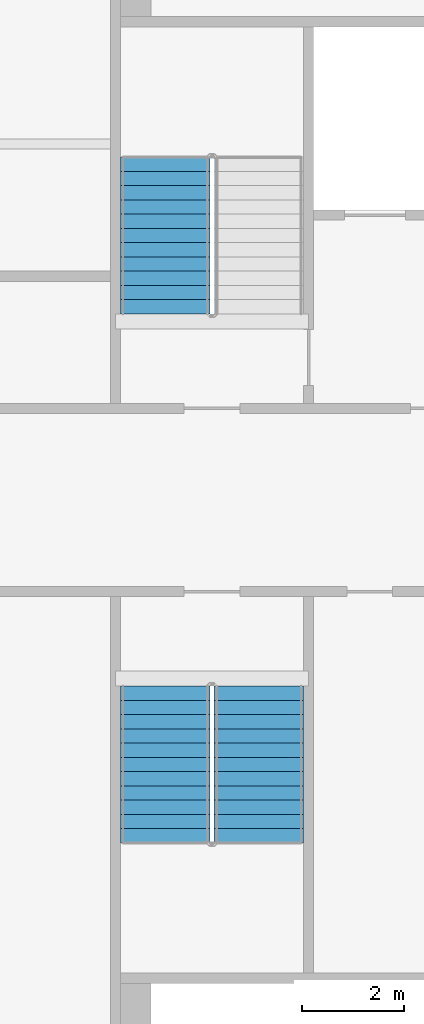
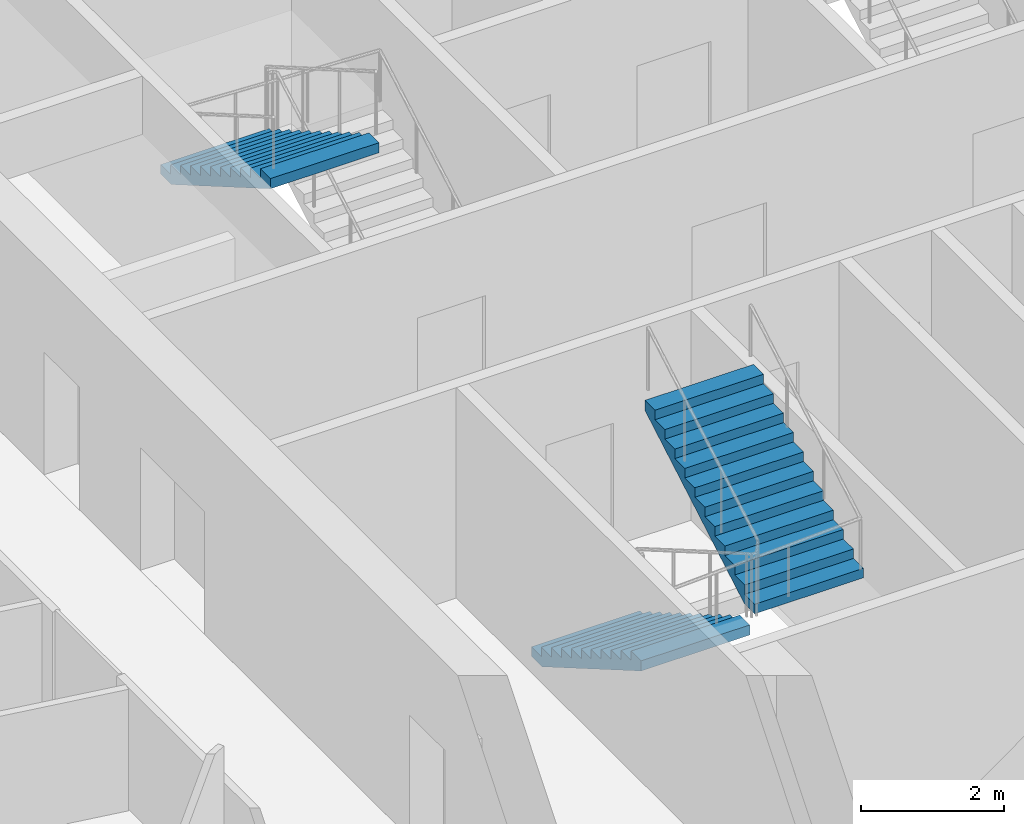
# One storey, part 7 of 11: 3 stair flights, 2 elements without a shape of their own.
"""IFC4 building model written with IfcOpenShell, lengths in metres."""

from ifc_helpers import new_model, si_unit, direction, frame, origin, place, context, subcontext, project, spatial, faceted_brep, material, type_object, element, aggregate, save


model = new_model("IFC4")

# Units and contexts
model_context = context("Model", 3, precision=1e-05, world=origin(), true_north=direction((0.0, 1.0)))
body_context = subcontext(model_context, "Body", "Model", "MODEL_VIEW")
ifc_project = project(units=[si_unit("LENGTHUNIT", "METRE"), si_unit("AREAUNIT", "SQUARE_METRE"), si_unit("VOLUMEUNIT", "CUBIC_METRE"), si_unit("PLANEANGLEUNIT", "RADIAN"), si_unit("MASSUNIT", "GRAM", prefix="KILO")], contexts=[model_context])

# Site, building, storey
site_placement = place(None, origin())
site = spatial("IfcSite", under=ifc_project, at=site_placement, CompositionType="ELEMENT")
building_placement = place(site_placement, origin())
building = spatial("IfcBuilding", under=site, at=building_placement, Name="Tarsis Ring Headquarters", CompositionType="ELEMENT")
storey_placement = place(building_placement, frame((0.0, 0.0, 243.300048828125)))
storey = spatial("IfcBuildingStorey", under=building, at=storey_placement, Name="L57", CompositionType="ELEMENT", Elevation=243.300048828125)

# Stair, stair flight
ifc_material_1 = material(Name="Core stair 1760")
stair_type = type_object("IfcStairType", Name="Core stair 1760", PredefinedType="HALF_TURN_STAIR", material=ifc_material_1)
stair_1_placement = place(storey_placement, origin())
stair_1 = element("IfcStair", 1, at=stair_1_placement, inside=storey, type_object=stair_type, Name="L57 Firefighting stair", PredefinedType="HALF_TURN_STAIR")
ifc_material_2 = material(Name="Concrete C40/50", Category="concrete")
stair_flight_type = type_object("IfcStairFlightType", Name="Core stair flight 1760", PredefinedType="STRAIGHT", material=ifc_material_2)
stair_flight_1_placement = place(storey_placement, frame((-5.419921875, 6.739990234375, 1.949951171875), z_axis=(0.0, 0.0, 1.0), x_axis=(0.0, -1.0, 0.0)))
stair_flight_1 = element("IfcStairFlight", 2, at=stair_flight_1_placement, type_object=stair_flight_type, Name="Stair ST1 flight 2", NumberOfRisers=12, NumberOfTreads=11, PredefinedType="STRAIGHT", RiserHeight=0.1625, TreadLength=0.28, context=body_context, shape_type="Brep", body=[
    faceted_brep([(0.0, 0.8798828125, 0.0), (0.0, 0.8798828125, 0.16259765625), (0.280029296875, 0.8798828125, 0.16259765625), (0.280029296875, 0.8798828125, 0.324951171875), (0.56005859375, 0.8798828125, 0.324951171875), (0.56005859375, 0.8798828125, 0.487548828125), (0.840087890625, 0.8798828125, 0.487548828125), (0.840087890625, 0.8798828125, 0.64990234375), (1.1201171875, 0.8798828125, 0.64990234375), (1.1201171875, 0.8798828125, 0.8125), (1.39990234375, 0.8798828125, 0.8125), (1.39990234375, 0.8798828125, 0.97509765625), (1.679931640625, 0.8798828125, 0.97509765625), (1.679931640625, 0.8798828125, 1.137451171875), (1.9599609375, 0.8798828125, 1.137451171875), (1.9599609375, 0.8798828125, 1.300048828125), (2.239990234375, 0.8798828125, 1.300048828125), (2.239990234375, 0.8798828125, 1.46240234375), (2.52001953125, 0.8798828125, 1.46240234375), (2.52001953125, 0.8798828125, 1.625), (2.800048828125, 0.8798828125, 1.625), (2.800048828125, 0.8798828125, 1.78759765625), (3.080078125, 0.8798828125, 1.78759765625), (3.080078125, 0.8798828125, 1.6142578125), (0.298583984375, 0.8798828125, 0.0), (0.298583984375, -0.8798828125, 0.0), (3.080078125, -0.8798828125, 1.6142578125), (3.080078125, -0.8798828125, 1.78759765625), (2.800048828125, -0.8798828125, 1.78759765625), (2.800048828125, -0.8798828125, 1.625), (2.52001953125, -0.8798828125, 1.625), (2.52001953125, -0.8798828125, 1.46240234375), (2.239990234375, -0.8798828125, 1.46240234375), (2.239990234375, -0.8798828125, 1.300048828125), (1.9599609375, -0.8798828125, 1.300048828125), (1.9599609375, -0.8798828125, 1.137451171875), (1.679931640625, -0.8798828125, 1.137451171875), (1.679931640625, -0.8798828125, 0.97509765625), (1.39990234375, -0.8798828125, 0.97509765625), (1.39990234375, -0.8798828125, 0.8125), (1.1201171875, -0.8798828125, 0.8125), (1.1201171875, -0.8798828125, 0.64990234375), (0.840087890625, -0.8798828125, 0.64990234375), (0.840087890625, -0.8798828125, 0.487548828125), (0.56005859375, -0.8798828125, 0.487548828125), (0.56005859375, -0.8798828125, 0.324951171875), (0.280029296875, -0.8798828125, 0.324951171875), (0.280029296875, -0.8798828125, 0.16259765625), (0.0, -0.8798828125, 0.16259765625), (0.0, -0.8798828125, 0.0), (0.0, -0.43994140625, 0.16259765625), (0.0, -0.43994140625, 0.0), (0.0, 0.0, 0.16259765625), (0.0, 0.0, 0.0), (0.0, 0.43994140625, 0.16259765625), (0.0, 0.43994140625, 0.0), (0.280029296875, -0.43994140625, 0.16259765625), (0.280029296875, 0.0, 0.16259765625), (0.280029296875, 0.43994140625, 0.16259765625), (0.280029296875, -0.43994140625, 0.324951171875), (0.280029296875, 0.0, 0.324951171875), (0.280029296875, 0.43994140625, 0.324951171875), (0.56005859375, -0.43994140625, 0.324951171875), (0.56005859375, 0.0, 0.324951171875), (0.56005859375, 0.43994140625, 0.324951171875), (0.56005859375, -0.43994140625, 0.487548828125), (0.56005859375, 0.0, 0.487548828125), (0.56005859375, 0.43994140625, 0.487548828125), (0.840087890625, -0.43994140625, 0.487548828125), (0.840087890625, 0.0, 0.487548828125), (0.840087890625, 0.43994140625, 0.487548828125), (0.840087890625, -0.43994140625, 0.64990234375), (0.840087890625, 0.0, 0.64990234375), (0.840087890625, 0.43994140625, 0.64990234375), (1.1201171875, -0.43994140625, 0.64990234375), (1.1201171875, 0.0, 0.64990234375), (1.1201171875, 0.43994140625, 0.64990234375), (1.1201171875, -0.43994140625, 0.8125), (1.1201171875, 0.0, 0.8125), (1.1201171875, 0.43994140625, 0.8125), (1.39990234375, -0.43994140625, 0.8125), (1.39990234375, 0.0, 0.8125), (1.39990234375, 0.43994140625, 0.8125), (1.39990234375, -0.43994140625, 0.97509765625), (1.39990234375, 0.0, 0.97509765625), (1.39990234375, 0.43994140625, 0.97509765625), (1.679931640625, -0.43994140625, 0.97509765625), (1.679931640625, 0.0, 0.97509765625), (1.679931640625, 0.43994140625, 0.97509765625), (1.679931640625, -0.43994140625, 1.137451171875), (1.679931640625, 0.0, 1.137451171875), (1.679931640625, 0.43994140625, 1.137451171875), (1.9599609375, -0.43994140625, 1.137451171875), (1.9599609375, 0.0, 1.137451171875), (1.9599609375, 0.43994140625, 1.137451171875), (1.9599609375, -0.43994140625, 1.300048828125), (1.9599609375, 0.0, 1.300048828125), (1.9599609375, 0.43994140625, 1.300048828125), (2.239990234375, -0.43994140625, 1.300048828125), (2.239990234375, 0.0, 1.300048828125), (2.239990234375, 0.43994140625, 1.300048828125), (2.239990234375, -0.43994140625, 1.46240234375), (2.239990234375, 0.0, 1.46240234375), (2.239990234375, 0.43994140625, 1.46240234375), (2.52001953125, -0.43994140625, 1.46240234375), (2.52001953125, 0.0, 1.46240234375), (2.52001953125, 0.43994140625, 1.46240234375), (2.52001953125, -0.43994140625, 1.625), (2.52001953125, 0.0, 1.625), (2.52001953125, 0.43994140625, 1.625), (2.800048828125, -0.43994140625, 1.625), (2.800048828125, 0.0, 1.625), (2.800048828125, 0.43994140625, 1.625), (2.800048828125, -0.43994140625, 1.78759765625), (2.800048828125, 0.0, 1.78759765625), (2.800048828125, 0.43994140625, 1.78759765625), (3.080078125, -0.43994140625, 1.78759765625), (3.080078125, 0.0, 1.78759765625), (3.080078125, 0.43994140625, 1.78759765625), (3.080078125, -0.43994140625, 1.6142578125), (3.080078125, 0.0, 1.6142578125), (3.080078125, 0.43994140625, 1.6142578125), (0.298583984375, -0.43994140625, 0.0), (0.298583984375, 0.0, 0.0), (0.298583984375, 0.43994140625, 0.0)], [[[0, 1, 2, 3, 4, 5, 6, 7, 8, 9, 10, 11, 12, 13, 14, 15, 16, 17, 18, 19, 20, 21, 22, 23, 24]], [[25, 26, 27, 28, 29, 30, 31, 32, 33, 34, 35, 36, 37, 38, 39, 40, 41, 42, 43, 44, 45, 46, 47, 48, 49]], [[49, 48, 50, 51]], [[51, 50, 52, 53]], [[53, 52, 54, 55]], [[55, 54, 1, 0]], [[48, 47, 56, 50]], [[50, 56, 57, 52]], [[52, 57, 58, 54]], [[54, 58, 2, 1]], [[47, 46, 59, 56]], [[56, 59, 60, 57]], [[57, 60, 61, 58]], [[58, 61, 3, 2]], [[46, 45, 62, 59]], [[59, 62, 63, 60]], [[60, 63, 64, 61]], [[61, 64, 4, 3]], [[45, 44, 65, 62]], [[62, 65, 66, 63]], [[63, 66, 67, 64]], [[64, 67, 5, 4]], [[44, 43, 68, 65]], [[65, 68, 69, 66]], [[66, 69, 70, 67]], [[67, 70, 6, 5]], [[43, 42, 71, 68]], [[68, 71, 72, 69]], [[69, 72, 73, 70]], [[70, 73, 7, 6]], [[42, 41, 74, 71]], [[71, 74, 75, 72]], [[72, 75, 76, 73]], [[73, 76, 8, 7]], [[41, 40, 77, 74]], [[74, 77, 78, 75]], [[75, 78, 79, 76]], [[76, 79, 9, 8]], [[40, 39, 80, 77]], [[77, 80, 81, 78]], [[78, 81, 82, 79]], [[79, 82, 10, 9]], [[39, 38, 83, 80]], [[80, 83, 84, 81]], [[81, 84, 85, 82]], [[82, 85, 11, 10]], [[38, 37, 86, 83]], [[83, 86, 87, 84]], [[84, 87, 88, 85]], [[85, 88, 12, 11]], [[37, 36, 89, 86]], [[86, 89, 90, 87]], [[87, 90, 91, 88]], [[88, 91, 13, 12]], [[36, 35, 92, 89]], [[89, 92, 93, 90]], [[90, 93, 94, 91]], [[91, 94, 14, 13]], [[35, 34, 95, 92]], [[92, 95, 96, 93]], [[93, 96, 97, 94]], [[94, 97, 15, 14]], [[34, 33, 98, 95]], [[95, 98, 99, 96]], [[96, 99, 100, 97]], [[97, 100, 16, 15]], [[33, 32, 101, 98]], [[98, 101, 102, 99]], [[99, 102, 103, 100]], [[100, 103, 17, 16]], [[32, 31, 104, 101]], [[101, 104, 105, 102]], [[102, 105, 106, 103]], [[103, 106, 18, 17]], [[31, 30, 107, 104]], [[104, 107, 108, 105]], [[105, 108, 109, 106]], [[106, 109, 19, 18]], [[30, 29, 110, 107]], [[107, 110, 111, 108]], [[108, 111, 112, 109]], [[109, 112, 20, 19]], [[29, 28, 113, 110]], [[110, 113, 114, 111]], [[111, 114, 115, 112]], [[112, 115, 21, 20]], [[28, 27, 116, 113]], [[113, 116, 117, 114]], [[114, 117, 118, 115]], [[115, 118, 22, 21]], [[27, 26, 119, 116]], [[116, 119, 120, 117]], [[117, 120, 121, 118]], [[118, 121, 23, 22]], [[26, 25, 122, 119]], [[119, 122, 123, 120]], [[120, 123, 124, 121]], [[121, 124, 24, 23]], [[25, 49, 51, 122]], [[122, 51, 53, 123]], [[123, 53, 55, 124]], [[124, 55, 0, 24]]]),
])
aggregate(stair_1, [stair_flight_1])

# Stair, stair flights
stair_2_placement = place(storey_placement, origin())
stair_2 = element("IfcStair", 3, at=stair_2_placement, inside=storey, type_object=stair_type, Name="L57 Exit stair C", PredefinedType="HALF_TURN_STAIR")
stair_flight_2_placement = place(storey_placement, frame((-5.419921875, -3.659912109375, 0.0), z_axis=(0.0, 0.0, 1.0), x_axis=(0.0, -1.0, 0.0)))
stair_flight_2 = element("IfcStairFlight", 4, at=stair_flight_2_placement, type_object=stair_flight_type, Name="Stair ST3 flight 1", NumberOfRisers=12, NumberOfTreads=11, PredefinedType="STRAIGHT", RiserHeight=0.1625, TreadLength=0.28, context=body_context, shape_type="Brep", body=[
    faceted_brep([(0.0, 0.8798828125, 0.0), (0.0, 0.8798828125, 0.16259765625), (0.280029296875, 0.8798828125, 0.16259765625), (0.280029296875, 0.8798828125, 0.324951171875), (0.56005859375, 0.8798828125, 0.324951171875), (0.56005859375, 0.8798828125, 0.487548828125), (0.840087890625, 0.8798828125, 0.487548828125), (0.840087890625, 0.8798828125, 0.64990234375), (1.1201171875, 0.8798828125, 0.64990234375), (1.1201171875, 0.8798828125, 0.8125), (1.39990234375, 0.8798828125, 0.8125), (1.39990234375, 0.8798828125, 0.97509765625), (1.679931640625, 0.8798828125, 0.97509765625), (1.679931640625, 0.8798828125, 1.137451171875), (1.9599609375, 0.8798828125, 1.137451171875), (1.9599609375, 0.8798828125, 1.300048828125), (2.239990234375, 0.8798828125, 1.300048828125), (2.239990234375, 0.8798828125, 1.46240234375), (2.52001953125, 0.8798828125, 1.46240234375), (2.52001953125, 0.8798828125, 1.625), (2.800048828125, 0.8798828125, 1.625), (2.800048828125, 0.8798828125, 1.78759765625), (3.080078125, 0.8798828125, 1.78759765625), (3.080078125, 0.8798828125, 1.6142578125), (0.298583984375, 0.8798828125, 0.0), (0.298583984375, -0.8798828125, 0.0), (3.080078125, -0.8798828125, 1.6142578125), (3.080078125, -0.8798828125, 1.78759765625), (2.800048828125, -0.8798828125, 1.78759765625), (2.800048828125, -0.8798828125, 1.625), (2.52001953125, -0.8798828125, 1.625), (2.52001953125, -0.8798828125, 1.46240234375), (2.239990234375, -0.8798828125, 1.46240234375), (2.239990234375, -0.8798828125, 1.300048828125), (1.9599609375, -0.8798828125, 1.300048828125), (1.9599609375, -0.8798828125, 1.137451171875), (1.679931640625, -0.8798828125, 1.137451171875), (1.679931640625, -0.8798828125, 0.97509765625), (1.39990234375, -0.8798828125, 0.97509765625), (1.39990234375, -0.8798828125, 0.8125), (1.1201171875, -0.8798828125, 0.8125), (1.1201171875, -0.8798828125, 0.64990234375), (0.840087890625, -0.8798828125, 0.64990234375), (0.840087890625, -0.8798828125, 0.487548828125), (0.56005859375, -0.8798828125, 0.487548828125), (0.56005859375, -0.8798828125, 0.324951171875), (0.280029296875, -0.8798828125, 0.324951171875), (0.280029296875, -0.8798828125, 0.16259765625), (0.0, -0.8798828125, 0.16259765625), (0.0, -0.8798828125, 0.0), (0.0, -0.43994140625, 0.16259765625), (0.0, -0.43994140625, 0.0), (0.0, 0.0, 0.16259765625), (0.0, 0.0, 0.0), (0.0, 0.43994140625, 0.16259765625), (0.0, 0.43994140625, 0.0), (0.280029296875, -0.43994140625, 0.16259765625), (0.280029296875, 0.0, 0.16259765625), (0.280029296875, 0.43994140625, 0.16259765625), (0.280029296875, -0.43994140625, 0.324951171875), (0.280029296875, 0.0, 0.324951171875), (0.280029296875, 0.43994140625, 0.324951171875), (0.56005859375, -0.43994140625, 0.324951171875), (0.56005859375, 0.0, 0.324951171875), (0.56005859375, 0.43994140625, 0.324951171875), (0.56005859375, -0.43994140625, 0.487548828125), (0.56005859375, 0.0, 0.487548828125), (0.56005859375, 0.43994140625, 0.487548828125), (0.840087890625, -0.43994140625, 0.487548828125), (0.840087890625, 0.0, 0.487548828125), (0.840087890625, 0.43994140625, 0.487548828125), (0.840087890625, -0.43994140625, 0.64990234375), (0.840087890625, 0.0, 0.64990234375), (0.840087890625, 0.43994140625, 0.64990234375), (1.1201171875, -0.43994140625, 0.64990234375), (1.1201171875, 0.0, 0.64990234375), (1.1201171875, 0.43994140625, 0.64990234375), (1.1201171875, -0.43994140625, 0.8125), (1.1201171875, 0.0, 0.8125), (1.1201171875, 0.43994140625, 0.8125), (1.39990234375, -0.43994140625, 0.8125), (1.39990234375, 0.0, 0.8125), (1.39990234375, 0.43994140625, 0.8125), (1.39990234375, -0.43994140625, 0.97509765625), (1.39990234375, 0.0, 0.97509765625), (1.39990234375, 0.43994140625, 0.97509765625), (1.679931640625, -0.43994140625, 0.97509765625), (1.679931640625, 0.0, 0.97509765625), (1.679931640625, 0.43994140625, 0.97509765625), (1.679931640625, -0.43994140625, 1.137451171875), (1.679931640625, 0.0, 1.137451171875), (1.679931640625, 0.43994140625, 1.137451171875), (1.9599609375, -0.43994140625, 1.137451171875), (1.9599609375, 0.0, 1.137451171875), (1.9599609375, 0.43994140625, 1.137451171875), (1.9599609375, -0.43994140625, 1.300048828125), (1.9599609375, 0.0, 1.300048828125), (1.9599609375, 0.43994140625, 1.300048828125), (2.239990234375, -0.43994140625, 1.300048828125), (2.239990234375, 0.0, 1.300048828125), (2.239990234375, 0.43994140625, 1.300048828125), (2.239990234375, -0.43994140625, 1.46240234375), (2.239990234375, 0.0, 1.46240234375), (2.239990234375, 0.43994140625, 1.46240234375), (2.52001953125, -0.43994140625, 1.46240234375), (2.52001953125, 0.0, 1.46240234375), (2.52001953125, 0.43994140625, 1.46240234375), (2.52001953125, -0.43994140625, 1.625), (2.52001953125, 0.0, 1.625), (2.52001953125, 0.43994140625, 1.625), (2.800048828125, -0.43994140625, 1.625), (2.800048828125, 0.0, 1.625), (2.800048828125, 0.43994140625, 1.625), (2.800048828125, -0.43994140625, 1.78759765625), (2.800048828125, 0.0, 1.78759765625), (2.800048828125, 0.43994140625, 1.78759765625), (3.080078125, -0.43994140625, 1.78759765625), (3.080078125, 0.0, 1.78759765625), (3.080078125, 0.43994140625, 1.78759765625), (3.080078125, -0.43994140625, 1.6142578125), (3.080078125, 0.0, 1.6142578125), (3.080078125, 0.43994140625, 1.6142578125), (0.298583984375, -0.43994140625, 0.0), (0.298583984375, 0.0, 0.0), (0.298583984375, 0.43994140625, 0.0)], [[[0, 1, 2, 3, 4, 5, 6, 7, 8, 9, 10, 11, 12, 13, 14, 15, 16, 17, 18, 19, 20, 21, 22, 23, 24]], [[25, 26, 27, 28, 29, 30, 31, 32, 33, 34, 35, 36, 37, 38, 39, 40, 41, 42, 43, 44, 45, 46, 47, 48, 49]], [[49, 48, 50, 51]], [[51, 50, 52, 53]], [[53, 52, 54, 55]], [[55, 54, 1, 0]], [[48, 47, 56, 50]], [[50, 56, 57, 52]], [[52, 57, 58, 54]], [[54, 58, 2, 1]], [[47, 46, 59, 56]], [[56, 59, 60, 57]], [[57, 60, 61, 58]], [[58, 61, 3, 2]], [[46, 45, 62, 59]], [[59, 62, 63, 60]], [[60, 63, 64, 61]], [[61, 64, 4, 3]], [[45, 44, 65, 62]], [[62, 65, 66, 63]], [[63, 66, 67, 64]], [[64, 67, 5, 4]], [[44, 43, 68, 65]], [[65, 68, 69, 66]], [[66, 69, 70, 67]], [[67, 70, 6, 5]], [[43, 42, 71, 68]], [[68, 71, 72, 69]], [[69, 72, 73, 70]], [[70, 73, 7, 6]], [[42, 41, 74, 71]], [[71, 74, 75, 72]], [[72, 75, 76, 73]], [[73, 76, 8, 7]], [[41, 40, 77, 74]], [[74, 77, 78, 75]], [[75, 78, 79, 76]], [[76, 79, 9, 8]], [[40, 39, 80, 77]], [[77, 80, 81, 78]], [[78, 81, 82, 79]], [[79, 82, 10, 9]], [[39, 38, 83, 80]], [[80, 83, 84, 81]], [[81, 84, 85, 82]], [[82, 85, 11, 10]], [[38, 37, 86, 83]], [[83, 86, 87, 84]], [[84, 87, 88, 85]], [[85, 88, 12, 11]], [[37, 36, 89, 86]], [[86, 89, 90, 87]], [[87, 90, 91, 88]], [[88, 91, 13, 12]], [[36, 35, 92, 89]], [[89, 92, 93, 90]], [[90, 93, 94, 91]], [[91, 94, 14, 13]], [[35, 34, 95, 92]], [[92, 95, 96, 93]], [[93, 96, 97, 94]], [[94, 97, 15, 14]], [[34, 33, 98, 95]], [[95, 98, 99, 96]], [[96, 99, 100, 97]], [[97, 100, 16, 15]], [[33, 32, 101, 98]], [[98, 101, 102, 99]], [[99, 102, 103, 100]], [[100, 103, 17, 16]], [[32, 31, 104, 101]], [[101, 104, 105, 102]], [[102, 105, 106, 103]], [[103, 106, 18, 17]], [[31, 30, 107, 104]], [[104, 107, 108, 105]], [[105, 108, 109, 106]], [[106, 109, 19, 18]], [[30, 29, 110, 107]], [[107, 110, 111, 108]], [[108, 111, 112, 109]], [[109, 112, 20, 19]], [[29, 28, 113, 110]], [[110, 113, 114, 111]], [[111, 114, 115, 112]], [[112, 115, 21, 20]], [[28, 27, 116, 113]], [[113, 116, 117, 114]], [[114, 117, 118, 115]], [[115, 118, 22, 21]], [[27, 26, 119, 116]], [[116, 119, 120, 117]], [[117, 120, 121, 118]], [[118, 121, 23, 22]], [[26, 25, 122, 119]], [[119, 122, 123, 120]], [[120, 123, 124, 121]], [[121, 124, 24, 23]], [[25, 49, 51, 122]], [[122, 51, 53, 123]], [[123, 53, 55, 124]], [[124, 55, 0, 24]]]),
])
stair_flight_3_placement = place(storey_placement, frame((-3.580078125, -6.739990234375, 1.949951171875), z_axis=(0.0, 0.0, 1.0), x_axis=(0.0, 1.0, 0.0)))
stair_flight_3 = element("IfcStairFlight", 5, at=stair_flight_3_placement, type_object=stair_flight_type, Name="Stair ST3 flight 2", NumberOfRisers=12, NumberOfTreads=11, PredefinedType="STRAIGHT", RiserHeight=0.1625, TreadLength=0.28, context=body_context, shape_type="Brep", body=[
    faceted_brep([(0.0, 0.8798828125, 0.0), (0.0, 0.8798828125, 0.16259765625), (0.280029296875, 0.8798828125, 0.16259765625), (0.280029296875, 0.8798828125, 0.324951171875), (0.56005859375, 0.8798828125, 0.324951171875), (0.56005859375, 0.8798828125, 0.487548828125), (0.840087890625, 0.8798828125, 0.487548828125), (0.840087890625, 0.8798828125, 0.64990234375), (1.1201171875, 0.8798828125, 0.64990234375), (1.1201171875, 0.8798828125, 0.8125), (1.39990234375, 0.8798828125, 0.8125), (1.39990234375, 0.8798828125, 0.97509765625), (1.679931640625, 0.8798828125, 0.97509765625), (1.679931640625, 0.8798828125, 1.137451171875), (1.9599609375, 0.8798828125, 1.137451171875), (1.9599609375, 0.8798828125, 1.300048828125), (2.239990234375, 0.8798828125, 1.300048828125), (2.239990234375, 0.8798828125, 1.46240234375), (2.52001953125, 0.8798828125, 1.46240234375), (2.52001953125, 0.8798828125, 1.625), (2.800048828125, 0.8798828125, 1.625), (2.800048828125, 0.8798828125, 1.78759765625), (3.080078125, 0.8798828125, 1.78759765625), (3.080078125, 0.8798828125, 1.6142578125), (0.298583984375, 0.8798828125, 0.0), (0.298583984375, -0.8798828125, 0.0), (3.080078125, -0.8798828125, 1.6142578125), (3.080078125, -0.8798828125, 1.78759765625), (2.800048828125, -0.8798828125, 1.78759765625), (2.800048828125, -0.8798828125, 1.625), (2.52001953125, -0.8798828125, 1.625), (2.52001953125, -0.8798828125, 1.46240234375), (2.239990234375, -0.8798828125, 1.46240234375), (2.239990234375, -0.8798828125, 1.300048828125), (1.9599609375, -0.8798828125, 1.300048828125), (1.9599609375, -0.8798828125, 1.137451171875), (1.679931640625, -0.8798828125, 1.137451171875), (1.679931640625, -0.8798828125, 0.97509765625), (1.39990234375, -0.8798828125, 0.97509765625), (1.39990234375, -0.8798828125, 0.8125), (1.1201171875, -0.8798828125, 0.8125), (1.1201171875, -0.8798828125, 0.64990234375), (0.840087890625, -0.8798828125, 0.64990234375), (0.840087890625, -0.8798828125, 0.487548828125), (0.56005859375, -0.8798828125, 0.487548828125), (0.56005859375, -0.8798828125, 0.324951171875), (0.280029296875, -0.8798828125, 0.324951171875), (0.280029296875, -0.8798828125, 0.16259765625), (0.0, -0.8798828125, 0.16259765625), (0.0, -0.8798828125, 0.0), (0.0, -0.43994140625, 0.16259765625), (0.0, -0.43994140625, 0.0), (0.0, 0.0, 0.16259765625), (0.0, 0.0, 0.0), (0.0, 0.43994140625, 0.16259765625), (0.0, 0.43994140625, 0.0), (0.280029296875, -0.43994140625, 0.16259765625), (0.280029296875, 0.0, 0.16259765625), (0.280029296875, 0.43994140625, 0.16259765625), (0.280029296875, -0.43994140625, 0.324951171875), (0.280029296875, 0.0, 0.324951171875), (0.280029296875, 0.43994140625, 0.324951171875), (0.56005859375, -0.43994140625, 0.324951171875), (0.56005859375, 0.0, 0.324951171875), (0.56005859375, 0.43994140625, 0.324951171875), (0.56005859375, -0.43994140625, 0.487548828125), (0.56005859375, 0.0, 0.487548828125), (0.56005859375, 0.43994140625, 0.487548828125), (0.840087890625, -0.43994140625, 0.487548828125), (0.840087890625, 0.0, 0.487548828125), (0.840087890625, 0.43994140625, 0.487548828125), (0.840087890625, -0.43994140625, 0.64990234375), (0.840087890625, 0.0, 0.64990234375), (0.840087890625, 0.43994140625, 0.64990234375), (1.1201171875, -0.43994140625, 0.64990234375), (1.1201171875, 0.0, 0.64990234375), (1.1201171875, 0.43994140625, 0.64990234375), (1.1201171875, -0.43994140625, 0.8125), (1.1201171875, 0.0, 0.8125), (1.1201171875, 0.43994140625, 0.8125), (1.39990234375, -0.43994140625, 0.8125), (1.39990234375, 0.0, 0.8125), (1.39990234375, 0.43994140625, 0.8125), (1.39990234375, -0.43994140625, 0.97509765625), (1.39990234375, 0.0, 0.97509765625), (1.39990234375, 0.43994140625, 0.97509765625), (1.679931640625, -0.43994140625, 0.97509765625), (1.679931640625, 0.0, 0.97509765625), (1.679931640625, 0.43994140625, 0.97509765625), (1.679931640625, -0.43994140625, 1.137451171875), (1.679931640625, 0.0, 1.137451171875), (1.679931640625, 0.43994140625, 1.137451171875), (1.9599609375, -0.43994140625, 1.137451171875), (1.9599609375, 0.0, 1.137451171875), (1.9599609375, 0.43994140625, 1.137451171875), (1.9599609375, -0.43994140625, 1.300048828125), (1.9599609375, 0.0, 1.300048828125), (1.9599609375, 0.43994140625, 1.300048828125), (2.239990234375, -0.43994140625, 1.300048828125), (2.239990234375, 0.0, 1.300048828125), (2.239990234375, 0.43994140625, 1.300048828125), (2.239990234375, -0.43994140625, 1.46240234375), (2.239990234375, 0.0, 1.46240234375), (2.239990234375, 0.43994140625, 1.46240234375), (2.52001953125, -0.43994140625, 1.46240234375), (2.52001953125, 0.0, 1.46240234375), (2.52001953125, 0.43994140625, 1.46240234375), (2.52001953125, -0.43994140625, 1.625), (2.52001953125, 0.0, 1.625), (2.52001953125, 0.43994140625, 1.625), (2.800048828125, -0.43994140625, 1.625), (2.800048828125, 0.0, 1.625), (2.800048828125, 0.43994140625, 1.625), (2.800048828125, -0.43994140625, 1.78759765625), (2.800048828125, 0.0, 1.78759765625), (2.800048828125, 0.43994140625, 1.78759765625), (3.080078125, -0.43994140625, 1.78759765625), (3.080078125, 0.0, 1.78759765625), (3.080078125, 0.43994140625, 1.78759765625), (3.080078125, -0.43994140625, 1.6142578125), (3.080078125, 0.0, 1.6142578125), (3.080078125, 0.43994140625, 1.6142578125), (0.298583984375, -0.43994140625, 0.0), (0.298583984375, 0.0, 0.0), (0.298583984375, 0.43994140625, 0.0)], [[[0, 1, 2, 3, 4, 5, 6, 7, 8, 9, 10, 11, 12, 13, 14, 15, 16, 17, 18, 19, 20, 21, 22, 23, 24]], [[25, 26, 27, 28, 29, 30, 31, 32, 33, 34, 35, 36, 37, 38, 39, 40, 41, 42, 43, 44, 45, 46, 47, 48, 49]], [[49, 48, 50, 51]], [[51, 50, 52, 53]], [[53, 52, 54, 55]], [[55, 54, 1, 0]], [[48, 47, 56, 50]], [[50, 56, 57, 52]], [[52, 57, 58, 54]], [[54, 58, 2, 1]], [[47, 46, 59, 56]], [[56, 59, 60, 57]], [[57, 60, 61, 58]], [[58, 61, 3, 2]], [[46, 45, 62, 59]], [[59, 62, 63, 60]], [[60, 63, 64, 61]], [[61, 64, 4, 3]], [[45, 44, 65, 62]], [[62, 65, 66, 63]], [[63, 66, 67, 64]], [[64, 67, 5, 4]], [[44, 43, 68, 65]], [[65, 68, 69, 66]], [[66, 69, 70, 67]], [[67, 70, 6, 5]], [[43, 42, 71, 68]], [[68, 71, 72, 69]], [[69, 72, 73, 70]], [[70, 73, 7, 6]], [[42, 41, 74, 71]], [[71, 74, 75, 72]], [[72, 75, 76, 73]], [[73, 76, 8, 7]], [[41, 40, 77, 74]], [[74, 77, 78, 75]], [[75, 78, 79, 76]], [[76, 79, 9, 8]], [[40, 39, 80, 77]], [[77, 80, 81, 78]], [[78, 81, 82, 79]], [[79, 82, 10, 9]], [[39, 38, 83, 80]], [[80, 83, 84, 81]], [[81, 84, 85, 82]], [[82, 85, 11, 10]], [[38, 37, 86, 83]], [[83, 86, 87, 84]], [[84, 87, 88, 85]], [[85, 88, 12, 11]], [[37, 36, 89, 86]], [[86, 89, 90, 87]], [[87, 90, 91, 88]], [[88, 91, 13, 12]], [[36, 35, 92, 89]], [[89, 92, 93, 90]], [[90, 93, 94, 91]], [[91, 94, 14, 13]], [[35, 34, 95, 92]], [[92, 95, 96, 93]], [[93, 96, 97, 94]], [[94, 97, 15, 14]], [[34, 33, 98, 95]], [[95, 98, 99, 96]], [[96, 99, 100, 97]], [[97, 100, 16, 15]], [[33, 32, 101, 98]], [[98, 101, 102, 99]], [[99, 102, 103, 100]], [[100, 103, 17, 16]], [[32, 31, 104, 101]], [[101, 104, 105, 102]], [[102, 105, 106, 103]], [[103, 106, 18, 17]], [[31, 30, 107, 104]], [[104, 107, 108, 105]], [[105, 108, 109, 106]], [[106, 109, 19, 18]], [[30, 29, 110, 107]], [[107, 110, 111, 108]], [[108, 111, 112, 109]], [[109, 112, 20, 19]], [[29, 28, 113, 110]], [[110, 113, 114, 111]], [[111, 114, 115, 112]], [[112, 115, 21, 20]], [[28, 27, 116, 113]], [[113, 116, 117, 114]], [[114, 117, 118, 115]], [[115, 118, 22, 21]], [[27, 26, 119, 116]], [[116, 119, 120, 117]], [[117, 120, 121, 118]], [[118, 121, 23, 22]], [[26, 25, 122, 119]], [[119, 122, 123, 120]], [[120, 123, 124, 121]], [[121, 124, 24, 23]], [[25, 49, 51, 122]], [[122, 51, 53, 123]], [[123, 53, 55, 124]], [[124, 55, 0, 24]]]),
])
aggregate(stair_2, [stair_flight_2, stair_flight_3])

save(model, "model.ifc")
